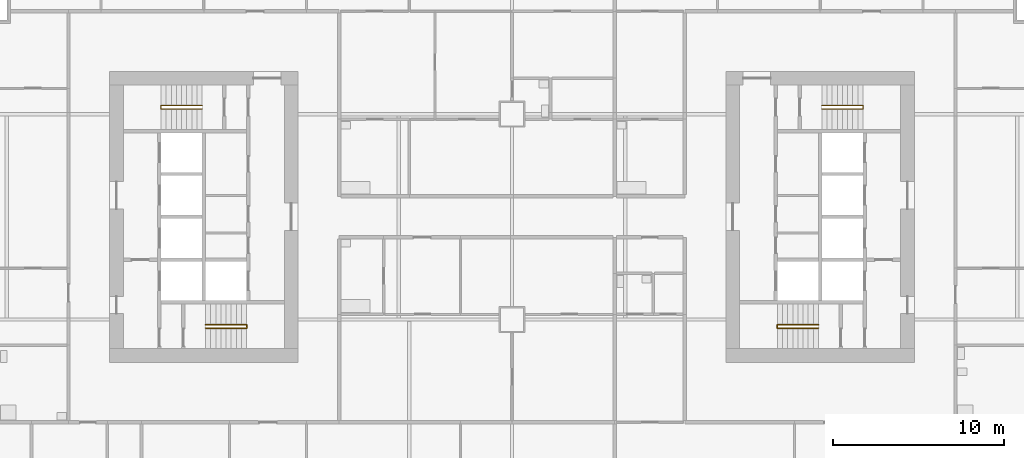
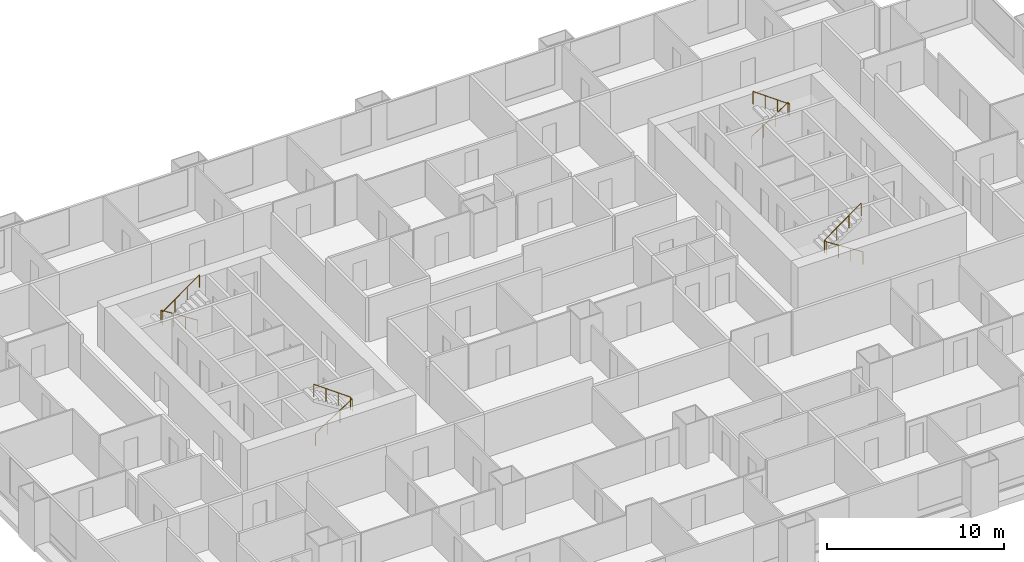
# One storey, part 12 of 13: 4 railings.
"""IFC4 building model written with IfcOpenShell, lengths in metres."""

import ifcopenshell
import ifcopenshell.guid

model = None  # the IFC model being written
_history = None  # IfcOwnerHistory: only IFC2X3 demands one
_inside = {}  # id of a spatial element -> (the spatial element, [elements in it])
_under = {}  # id of a project, library or spatial element -> (it, [spatial elements below it])
_declared = {}  # id of a project -> (the project, [libraries it declares])
_typed = {}  # id of a type object -> (the type object, [elements of that type])
_made_of = {}  # id of a material, layer set ... -> (it, [elements and type objects made of it])


def new_model(schema):
    """Start an empty IFC model of exactly this schema.

    Asked for "IFC4X3", IfcOpenShell would pick the latest addendum, in which some entities
    have other attributes; the version numbers below select the first issue.
    IFC2X3 requires an IfcOwnerHistory on every rooted entity: one is made here for all.
    """
    global model, _history
    if schema == "IFC4X3":
        model = ifcopenshell.file(schema_version=(4, 3, 0, 0))
    else:
        model = ifcopenshell.file(schema=schema)
    _inside.clear()
    _under.clear()
    _declared.clear()
    _typed.clear()
    _made_of.clear()
    _history = None
    if model.schema == "IFC2X3":
        org = make("IfcOrganization", Name="unknown")
        user = make(
            "IfcPersonAndOrganization",
            ThePerson=make("IfcPerson", FamilyName="unknown"),
            TheOrganization=org,
        )
        app = make(
            "IfcApplication",
            ApplicationDeveloper=org,
            Version="unknown",
            ApplicationFullName="unknown",
            ApplicationIdentifier="unknown",
        )
        _history = make(
            "IfcOwnerHistory",
            OwningUser=user,
            OwningApplication=app,
            ChangeAction="ADDED",
            CreationDate=0,
        )
    return model


def make(cls, **values):
    """One entity of the class cls with the attributes given. An attribute that is None is left unset."""
    return model.create_entity(
        cls, **{name: value for name, value in values.items() if value is not None}
    )


def rooted(cls, **values):
    """An entity with a GlobalId (a new one), such as an element, a storey or a relation."""
    return make(cls, GlobalId=ifcopenshell.guid.new(), OwnerHistory=_history, **values)


def si_unit(unit_type, name, prefix=None):
    """IfcSIUnit, for example si_unit("LENGTHUNIT", "METRE", prefix="MILLI")."""
    return make("IfcSIUnit", UnitType=unit_type, Prefix=prefix, Name=name)


def assignment(units):
    """IfcUnitAssignment: the units of a project."""
    return None if units is None else make("IfcUnitAssignment", Units=units)


def point(xyz):
    """IfcCartesianPoint."""
    return None if xyz is None else make("IfcCartesianPoint", Coordinates=xyz)


def direction(xyz):
    """IfcDirection."""
    return None if xyz is None else make("IfcDirection", DirectionRatios=xyz)


def frame(location, z_axis=None, x_axis=None):
    """IfcAxis2Placement3D, a coordinate frame: its origin and axes. An axis left out is left unset."""
    return make(
        "IfcAxis2Placement3D",
        Location=point(location),
        Axis=direction(z_axis),
        RefDirection=direction(x_axis),
    )


def frame_2d(location, x_axis=None):
    """IfcAxis2Placement2D, a coordinate frame in the plane: its origin and x axis."""
    return make(
        "IfcAxis2Placement2D", Location=point(location), RefDirection=direction(x_axis)
    )


def origin():
    """The frame at (0, 0, 0) with its axes left unset."""
    return frame((0.0, 0.0, 0.0))


def origin_2d():
    """The frame at (0, 0) in the plane with its x axis left unset."""
    return frame_2d((0.0, 0.0))


def place(relative_to, where):
    """IfcLocalPlacement: puts the frame where relative to a parent placement (None: the world)."""
    return make(
        "IfcLocalPlacement", PlacementRelTo=relative_to, RelativePlacement=where
    )


def context(
    kind, dimensions, precision=None, world=None, true_north=None, identifier=None
):
    """IfcGeometricRepresentationContext, for example the 3D "Model" context."""
    return make(
        "IfcGeometricRepresentationContext",
        ContextIdentifier=identifier,
        ContextType=kind,
        CoordinateSpaceDimension=dimensions,
        Precision=precision,
        WorldCoordinateSystem=world,
        TrueNorth=true_north,
    )


def subcontext(parent, identifier, kind, view, scale=None):
    """IfcGeometricRepresentationSubContext, for example "Body" below "Model"."""
    return make(
        "IfcGeometricRepresentationSubContext",
        ContextIdentifier=identifier,
        ContextType=kind,
        ParentContext=parent,
        TargetScale=scale,
        TargetView=view,
    )


def project(units=None, contexts=None):
    """IfcProject with its units and contexts."""
    return rooted(
        "IfcProject",
        Name="project",
        RepresentationContexts=contexts,
        UnitsInContext=assignment(units),
    )


def spatial(cls, under=None, at=None, **own):
    """A site, building, storey or space (cls), placed at a placement, below another one or the project."""
    s = rooted(cls, ObjectPlacement=at, **own)
    if under is not None:
        _under.setdefault(under.id(), (under, []))[1].append(s)
    return s


def profile(cls, at=None, kind="AREA", **sizes):
    """A parametric profile (cls). Its sizes go by their IFC names, for example OverallWidth=200.0."""
    return make(cls, ProfileType=kind, Position=at, **sizes)


def circle(**sizes):
    """IfcCircleProfileDef."""
    return profile("IfcCircleProfileDef", **sizes)


def extrude(swept, where, along, depth):
    """IfcExtrudedAreaSolid: the profile swept, set in the frame where, extruded along a direction by depth."""
    return make(
        "IfcExtrudedAreaSolid",
        SweptArea=swept,
        Position=where,
        ExtrudedDirection=direction(along),
        Depth=depth,
    )


def shape(context_of_items, identifier, shape_type, items):
    """IfcShapeRepresentation: the items that make up one representation, for example the "Body"."""
    return make(
        "IfcShapeRepresentation",
        ContextOfItems=context_of_items,
        RepresentationIdentifier=identifier,
        RepresentationType=shape_type,
        Items=items,
    )


def material(Name=None, Category=None):
    """IfcMaterial."""
    return make("IfcMaterial", Name=Name, Category=Category)


def made_of(thing, what):
    """Note that an element or type object is made of a material, layer set ...; save() writes the relation."""
    if what is not None:
        _made_of.setdefault(what.id(), (what, []))[1].append(thing)
    return thing


def type_object(cls, material=None, **own):
    """A type object (cls), such as IfcWallType, which elements share."""
    return made_of(rooted(cls, **own), material)


def element(
    cls,
    number,
    at=None,
    inside=None,
    cuts=None,
    type_object=None,
    material=None,
    context=None,
    identifier="Body",
    shape_type=None,
    held_by="IfcProductDefinitionShape",
    body=None,
    shapes=None,
    **own,
):
    """One element of the class cls, such as IfcWall. Its Tag is "e" and its number.

    at: its placement. inside: the storey or other place that contains it. cuts: it is an
    opening in that element (IfcRelVoidsElement). A single representation is given by context,
    identifier, shape_type and body (its items); several are given by shapes. held_by: the class
    of the entity that holds the representations. save() writes the other relations.
    """
    e = rooted(cls, Tag="e%d" % number, ObjectPlacement=at, **own)
    if body is not None:
        shapes = [shape(context, identifier, shape_type, body)]
    if shapes is not None:
        e.Representation = make(held_by, Representations=shapes)
    if inside is not None:
        _inside.setdefault(inside.id(), (inside, []))[1].append(e)
    if cuts is not None:
        rooted(
            "IfcRelVoidsElement", RelatingBuildingElement=cuts, RelatedOpeningElement=e
        )
    if type_object is not None:
        _typed.setdefault(type_object.id(), (type_object, []))[1].append(e)
    return made_of(e, material)


def aggregate(whole, parts):
    """IfcRelAggregates: a whole, such as a stair, and the parts it consists of."""
    return rooted("IfcRelAggregates", RelatingObject=whole, RelatedObjects=parts)


def save(model, path):
    """Write the relations noted so far, then the file.

    IfcRelAggregates (storeys below a building ...), IfcRelContainedInSpatialStructure (elements
    in a storey), IfcRelDefinesByType, IfcRelAssociatesMaterial and IfcRelDeclares: one each for
    every whole, place, type object, material and project.
    """
    for whole, parts in _under.values():
        aggregate(whole, parts)
    for where, things in _inside.values():
        rooted(
            "IfcRelContainedInSpatialStructure",
            RelatedElements=things,
            RelatingStructure=where,
        )
    for kind, things in _typed.values():
        rooted("IfcRelDefinesByType", RelatedObjects=things, RelatingType=kind)
    for what, things in _made_of.values():
        rooted("IfcRelAssociatesMaterial", RelatedObjects=things, RelatingMaterial=what)
    for by, libraries in _declared.values():
        rooted("IfcRelDeclares", RelatingContext=by, RelatedDefinitions=libraries)
    model.write(path)


model = new_model("IFC4")

# Units and contexts
model_context = context("Model", 3, precision=1e-05, world=origin(), true_north=direction((0.0, 1.0)))
body_context = subcontext(model_context, "Body", "Model", "MODEL_VIEW")
ifc_project = project(units=[si_unit("LENGTHUNIT", "METRE"), si_unit("AREAUNIT", "SQUARE_METRE"), si_unit("VOLUMEUNIT", "CUBIC_METRE"), si_unit("PLANEANGLEUNIT", "RADIAN"), si_unit("MASSUNIT", "GRAM", prefix="KILO")], contexts=[model_context])

# Site, building, storey
site_placement = place(None, origin())
site = spatial("IfcSite", under=ifc_project, at=site_placement, CompositionType="ELEMENT")
building_placement = place(site_placement, origin())
building = spatial("IfcBuilding", under=site, at=building_placement, Name="Kitamizu Gate Tower and Museum", CompositionType="ELEMENT")
storey_placement = place(building_placement, frame((0.0, 0.0, 57.60009765625)))
storey = spatial("IfcBuildingStorey", under=building, at=storey_placement, Name="L13", CompositionType="ELEMENT", Elevation=57.60009765625)

# Railings
ifc_material = material(Name="Stainless steel SUS304", Category="steel")
railing_type = type_object("IfcRailingType", Name="Stair handrail 900", PredefinedType="HANDRAIL", material=ifc_material)
railing_1_placement = place(storey_placement, frame((18.10009765625, 23.5, 0.191650390625)))
element("IfcRailing", 1, at=railing_1_placement, inside=storey, type_object=railing_type, Name="Stair handrail ST1", PredefinedType="HANDRAIL", context=body_context, shape_type="SweptSolid", body=[
    extrude(circle(Radius=0.02392578125, at=origin_2d()), frame((0.0, 0.0, 0.8759765625), z_axis=(0.84270706373, 0.0, 0.538372366248), x_axis=(0.0, 1.0, 0.0)), (0.0, 0.0, 1.0), 2.847900390625),
    extrude(circle(Radius=0.02392578125, at=origin_2d()), frame((2.39990234375, 0.0, 2.4091796875), z_axis=(0.0, 1.0, 0.0), x_axis=(-1.0, 0.0, 0.0)), (0.0, 0.0, 1.0), 0.199951171875),
    extrude(circle(Radius=0.02392578125, at=origin_2d()), frame((2.39990234375, 0.199951171875, 2.4091796875), z_axis=(-0.811988456656, 0.0, 0.583673492852), x_axis=(0.0, -1.0, 0.0)), (0.0, 0.0, 1.0), 2.95556640625),
    extrude(circle(Radius=0.02099609375, at=origin_2d()), origin(), (0.0, 0.0, 1.0), 0.851806640625),
    extrude(circle(Radius=0.02099609375, at=origin_2d()), frame((0.800048828125, 0.0, 0.510986328125)), (0.0, 0.0, 1.0), 0.851806640625),
    extrude(circle(Radius=0.02099609375, at=origin_2d()), frame((1.599853515625, 0.0, 1.022216796875)), (0.0, 0.0, 1.0), 0.851806640625),
    extrude(circle(Radius=0.02099609375, at=origin_2d()), frame((2.39990234375, 0.0, 1.533203125)), (0.0, 0.0, 1.0), 0.851806640625),
    extrude(circle(Radius=0.02099609375, at=origin_2d()), frame((2.39990234375, 0.199951171875, 1.533203125)), (0.0, 0.0, 1.0), 0.851806640625),
    extrude(circle(Radius=0.02099609375, at=origin_2d()), frame((1.599853515625, 0.199951171875, 2.108154296875)), (0.0, 0.0, 1.0), 0.851806640625),
    extrude(circle(Radius=0.02099609375, at=origin_2d()), frame((0.800048828125, 0.199951171875, 2.683349609375)), (0.0, 0.0, 1.0), 0.851806640625),
    extrude(circle(Radius=0.02099609375, at=origin_2d()), frame((0.0, 0.199951171875, 3.25830078125)), (0.0, 0.0, 1.0), 0.851806640625),
])
railing_2_placement = place(storey_placement, frame((17.89990234375, 36.5, 0.191650390625)))
element("IfcRailing", 2, at=railing_2_placement, inside=storey, type_object=railing_type, Name="Stair handrail ST2", PredefinedType="HANDRAIL", context=body_context, shape_type="SweptSolid", body=[
    extrude(circle(Radius=0.02392578125, at=origin_2d()), frame((0.0, 0.0, 0.8759765625), z_axis=(-0.84270706373, 0.0, 0.538372366248), x_axis=(0.0, -1.0, 0.0)), (0.0, 0.0, 1.0), 2.847900390625),
    extrude(circle(Radius=0.02392578125, at=origin_2d()), frame((-2.39990234375, 0.0, 2.4091796875), z_axis=(0.0, -1.0, 0.0), x_axis=(1.0, 0.0, 0.0)), (0.0, 0.0, 1.0), 0.199951171875),
    extrude(circle(Radius=0.02392578125, at=origin_2d()), frame((-2.39990234375, -0.199951171875, 2.4091796875), z_axis=(0.811988456656, 0.0, 0.583673492852), x_axis=(0.0, 1.0, 0.0)), (0.0, 0.0, 1.0), 2.95556640625),
    extrude(circle(Radius=0.02099609375, at=origin_2d()), origin(), (0.0, 0.0, 1.0), 0.851806640625),
    extrude(circle(Radius=0.02099609375, at=origin_2d()), frame((-0.800048828125, 0.0, 0.510986328125)), (0.0, 0.0, 1.0), 0.851806640625),
    extrude(circle(Radius=0.02099609375, at=origin_2d()), frame((-1.599853515625, 0.0, 1.022216796875)), (0.0, 0.0, 1.0), 0.851806640625),
    extrude(circle(Radius=0.02099609375, at=origin_2d()), frame((-2.39990234375, 0.0, 1.533203125)), (0.0, 0.0, 1.0), 0.851806640625),
    extrude(circle(Radius=0.02099609375, at=origin_2d()), frame((-2.39990234375, -0.199951171875, 1.533203125)), (0.0, 0.0, 1.0), 0.851806640625),
    extrude(circle(Radius=0.02099609375, at=origin_2d()), frame((-1.599853515625, -0.199951171875, 2.108154296875)), (0.0, 0.0, 1.0), 0.851806640625),
    extrude(circle(Radius=0.02099609375, at=origin_2d()), frame((-0.800048828125, -0.199951171875, 2.683349609375)), (0.0, 0.0, 1.0), 0.851806640625),
    extrude(circle(Radius=0.02099609375, at=origin_2d()), frame((0.0, -0.199951171875, 3.25830078125)), (0.0, 0.0, 1.0), 0.851806640625),
])
railing_3_placement = place(storey_placement, frame((53.89990234375, 23.5, 0.191650390625)))
element("IfcRailing", 3, at=railing_3_placement, inside=storey, type_object=railing_type, Name="Stair handrail ST3", PredefinedType="HANDRAIL", context=body_context, shape_type="SweptSolid", body=[
    extrude(circle(Radius=0.02392578125, at=origin_2d()), frame((0.0, 0.0, 0.8759765625), z_axis=(-0.84270706373, 0.0, 0.538372366248), x_axis=(0.0, -1.0, 0.0)), (0.0, 0.0, 1.0), 2.847900390625),
    extrude(circle(Radius=0.02392578125, at=origin_2d()), frame((-2.39990234375, 0.0, 2.4091796875), z_axis=(0.0, 1.0, 0.0), x_axis=(-1.0, 0.0, 0.0)), (0.0, 0.0, 1.0), 0.199951171875),
    extrude(circle(Radius=0.02392578125, at=origin_2d()), frame((-2.39990234375, 0.199951171875, 2.4091796875), z_axis=(0.811988456656, 0.0, 0.583673492852), x_axis=(0.0, 1.0, 0.0)), (0.0, 0.0, 1.0), 2.95556640625),
    extrude(circle(Radius=0.02099609375, at=origin_2d()), origin(), (0.0, 0.0, 1.0), 0.851806640625),
    extrude(circle(Radius=0.02099609375, at=origin_2d()), frame((-0.800048828125, 0.0, 0.510986328125)), (0.0, 0.0, 1.0), 0.851806640625),
    extrude(circle(Radius=0.02099609375, at=origin_2d()), frame((-1.599853515625, 0.0, 1.022216796875)), (0.0, 0.0, 1.0), 0.851806640625),
    extrude(circle(Radius=0.02099609375, at=origin_2d()), frame((-2.39990234375, 0.0, 1.533203125)), (0.0, 0.0, 1.0), 0.851806640625),
    extrude(circle(Radius=0.02099609375, at=origin_2d()), frame((-2.39990234375, 0.199951171875, 1.533203125)), (0.0, 0.0, 1.0), 0.851806640625),
    extrude(circle(Radius=0.02099609375, at=origin_2d()), frame((-1.599853515625, 0.199951171875, 2.108154296875)), (0.0, 0.0, 1.0), 0.851806640625),
    extrude(circle(Radius=0.02099609375, at=origin_2d()), frame((-0.800048828125, 0.199951171875, 2.683349609375)), (0.0, 0.0, 1.0), 0.851806640625),
    extrude(circle(Radius=0.02099609375, at=origin_2d()), frame((0.0, 0.199951171875, 3.25830078125)), (0.0, 0.0, 1.0), 0.851806640625),
])
railing_4_placement = place(storey_placement, frame((54.10009765625, 36.5, 0.191650390625)))
element("IfcRailing", 4, at=railing_4_placement, inside=storey, type_object=railing_type, Name="Stair handrail ST4", PredefinedType="HANDRAIL", context=body_context, shape_type="SweptSolid", body=[
    extrude(circle(Radius=0.02392578125, at=origin_2d()), frame((0.0, 0.0, 0.8759765625), z_axis=(0.84270706373, 0.0, 0.538372366248), x_axis=(0.0, 1.0, 0.0)), (0.0, 0.0, 1.0), 2.847900390625),
    extrude(circle(Radius=0.02392578125, at=origin_2d()), frame((2.39990234375, 0.0, 2.4091796875), z_axis=(0.0, -1.0, 0.0), x_axis=(1.0, 0.0, 0.0)), (0.0, 0.0, 1.0), 0.199951171875),
    extrude(circle(Radius=0.02392578125, at=origin_2d()), frame((2.39990234375, -0.199951171875, 2.4091796875), z_axis=(-0.811988456656, 0.0, 0.583673492852), x_axis=(0.0, -1.0, 0.0)), (0.0, 0.0, 1.0), 2.95556640625),
    extrude(circle(Radius=0.02099609375, at=origin_2d()), origin(), (0.0, 0.0, 1.0), 0.851806640625),
    extrude(circle(Radius=0.02099609375, at=origin_2d()), frame((0.800048828125, 0.0, 0.510986328125)), (0.0, 0.0, 1.0), 0.851806640625),
    extrude(circle(Radius=0.02099609375, at=origin_2d()), frame((1.599853515625, 0.0, 1.022216796875)), (0.0, 0.0, 1.0), 0.851806640625),
    extrude(circle(Radius=0.02099609375, at=origin_2d()), frame((2.39990234375, 0.0, 1.533203125)), (0.0, 0.0, 1.0), 0.851806640625),
    extrude(circle(Radius=0.02099609375, at=origin_2d()), frame((2.39990234375, -0.199951171875, 1.533203125)), (0.0, 0.0, 1.0), 0.851806640625),
    extrude(circle(Radius=0.02099609375, at=origin_2d()), frame((1.599853515625, -0.199951171875, 2.108154296875)), (0.0, 0.0, 1.0), 0.851806640625),
    extrude(circle(Radius=0.02099609375, at=origin_2d()), frame((0.800048828125, -0.199951171875, 2.683349609375)), (0.0, 0.0, 1.0), 0.851806640625),
    extrude(circle(Radius=0.02099609375, at=origin_2d()), frame((0.0, -0.199951171875, 3.25830078125)), (0.0, 0.0, 1.0), 0.851806640625),
])

save(model, "model.ifc")
